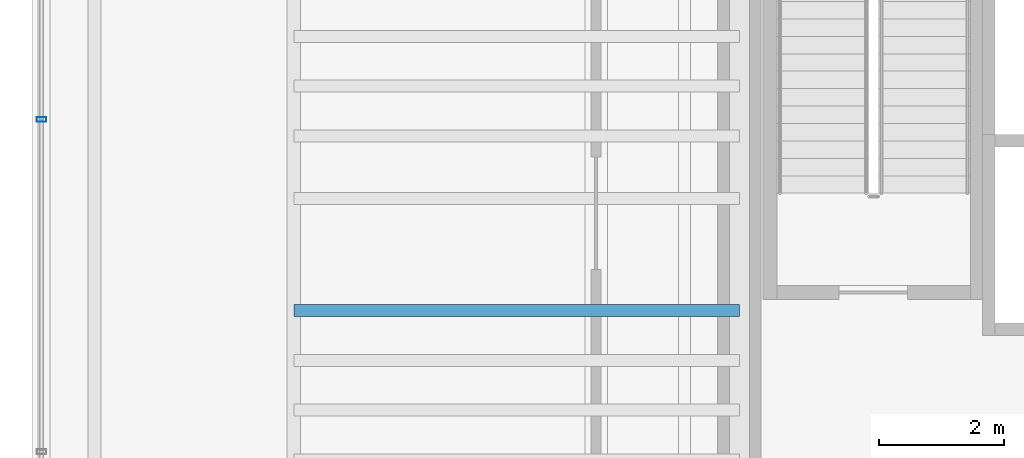
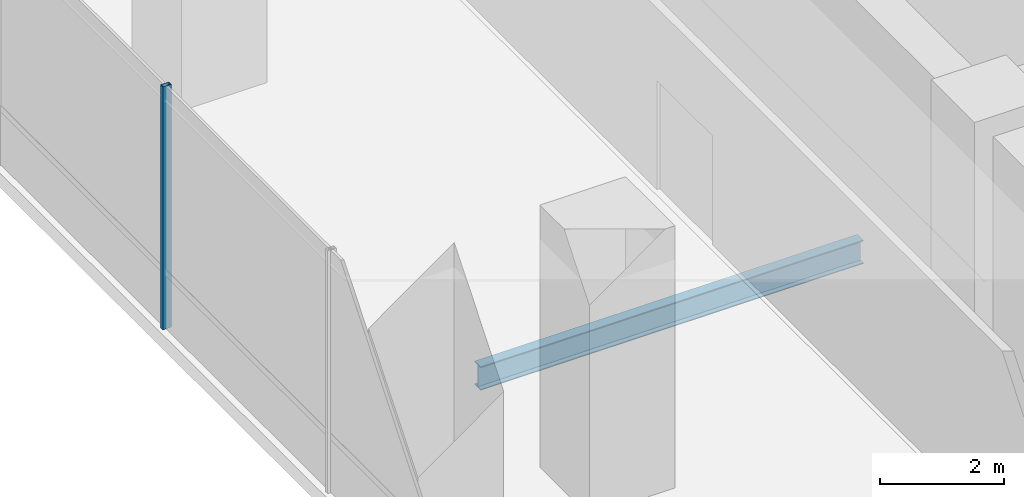
# One storey, part 4 of 39: 1 beam, 1 member, 1 element without a shape of its own.
"""IFC4 building model written with IfcOpenShell, lengths in metres."""

import ifcopenshell
import ifcopenshell.guid

model = None  # the IFC model being written
_history = None  # IfcOwnerHistory: only IFC2X3 demands one
_inside = {}  # id of a spatial element -> (the spatial element, [elements in it])
_under = {}  # id of a project, library or spatial element -> (it, [spatial elements below it])
_declared = {}  # id of a project -> (the project, [libraries it declares])
_typed = {}  # id of a type object -> (the type object, [elements of that type])
_made_of = {}  # id of a material, layer set ... -> (it, [elements and type objects made of it])


def new_model(schema):
    """Start an empty IFC model of exactly this schema.

    Asked for "IFC4X3", IfcOpenShell would pick the latest addendum, in which some entities
    have other attributes; the version numbers below select the first issue.
    IFC2X3 requires an IfcOwnerHistory on every rooted entity: one is made here for all.
    """
    global model, _history
    if schema == "IFC4X3":
        model = ifcopenshell.file(schema_version=(4, 3, 0, 0))
    else:
        model = ifcopenshell.file(schema=schema)
    _inside.clear()
    _under.clear()
    _declared.clear()
    _typed.clear()
    _made_of.clear()
    _history = None
    if model.schema == "IFC2X3":
        org = make("IfcOrganization", Name="unknown")
        user = make(
            "IfcPersonAndOrganization",
            ThePerson=make("IfcPerson", FamilyName="unknown"),
            TheOrganization=org,
        )
        app = make(
            "IfcApplication",
            ApplicationDeveloper=org,
            Version="unknown",
            ApplicationFullName="unknown",
            ApplicationIdentifier="unknown",
        )
        _history = make(
            "IfcOwnerHistory",
            OwningUser=user,
            OwningApplication=app,
            ChangeAction="ADDED",
            CreationDate=0,
        )
    return model


def make(cls, **values):
    """One entity of the class cls with the attributes given. An attribute that is None is left unset."""
    return model.create_entity(
        cls, **{name: value for name, value in values.items() if value is not None}
    )


def rooted(cls, **values):
    """An entity with a GlobalId (a new one), such as an element, a storey or a relation."""
    return make(cls, GlobalId=ifcopenshell.guid.new(), OwnerHistory=_history, **values)


def si_unit(unit_type, name, prefix=None):
    """IfcSIUnit, for example si_unit("LENGTHUNIT", "METRE", prefix="MILLI")."""
    return make("IfcSIUnit", UnitType=unit_type, Prefix=prefix, Name=name)


def assignment(units):
    """IfcUnitAssignment: the units of a project."""
    return None if units is None else make("IfcUnitAssignment", Units=units)


def point(xyz):
    """IfcCartesianPoint."""
    return None if xyz is None else make("IfcCartesianPoint", Coordinates=xyz)


def direction(xyz):
    """IfcDirection."""
    return None if xyz is None else make("IfcDirection", DirectionRatios=xyz)


def frame(location, z_axis=None, x_axis=None):
    """IfcAxis2Placement3D, a coordinate frame: its origin and axes. An axis left out is left unset."""
    return make(
        "IfcAxis2Placement3D",
        Location=point(location),
        Axis=direction(z_axis),
        RefDirection=direction(x_axis),
    )


def frame_2d(location, x_axis=None):
    """IfcAxis2Placement2D, a coordinate frame in the plane: its origin and x axis."""
    return make(
        "IfcAxis2Placement2D", Location=point(location), RefDirection=direction(x_axis)
    )


def origin():
    """The frame at (0, 0, 0) with its axes left unset."""
    return frame((0.0, 0.0, 0.0))


def origin_2d():
    """The frame at (0, 0) in the plane with its x axis left unset."""
    return frame_2d((0.0, 0.0))


def place(relative_to, where):
    """IfcLocalPlacement: puts the frame where relative to a parent placement (None: the world)."""
    return make(
        "IfcLocalPlacement", PlacementRelTo=relative_to, RelativePlacement=where
    )


def context(
    kind, dimensions, precision=None, world=None, true_north=None, identifier=None
):
    """IfcGeometricRepresentationContext, for example the 3D "Model" context."""
    return make(
        "IfcGeometricRepresentationContext",
        ContextIdentifier=identifier,
        ContextType=kind,
        CoordinateSpaceDimension=dimensions,
        Precision=precision,
        WorldCoordinateSystem=world,
        TrueNorth=true_north,
    )


def subcontext(parent, identifier, kind, view, scale=None):
    """IfcGeometricRepresentationSubContext, for example "Body" below "Model"."""
    return make(
        "IfcGeometricRepresentationSubContext",
        ContextIdentifier=identifier,
        ContextType=kind,
        ParentContext=parent,
        TargetScale=scale,
        TargetView=view,
    )


def project(units=None, contexts=None):
    """IfcProject with its units and contexts."""
    return rooted(
        "IfcProject",
        Name="project",
        RepresentationContexts=contexts,
        UnitsInContext=assignment(units),
    )


def spatial(cls, under=None, at=None, **own):
    """A site, building, storey or space (cls), placed at a placement, below another one or the project."""
    s = rooted(cls, ObjectPlacement=at, **own)
    if under is not None:
        _under.setdefault(under.id(), (under, []))[1].append(s)
    return s


def profile(cls, at=None, kind="AREA", **sizes):
    """A parametric profile (cls). Its sizes go by their IFC names, for example OverallWidth=200.0."""
    return make(cls, ProfileType=kind, Position=at, **sizes)


def hollow_rectangle(**sizes):
    """IfcRectangleHollowProfileDef."""
    return profile("IfcRectangleHollowProfileDef", **sizes)


def i_section(**sizes):
    """IfcIShapeProfileDef."""
    return profile("IfcIShapeProfileDef", **sizes)


def extrude(swept, where, along, depth):
    """IfcExtrudedAreaSolid: the profile swept, set in the frame where, extruded along a direction by depth."""
    return make(
        "IfcExtrudedAreaSolid",
        SweptArea=swept,
        Position=where,
        ExtrudedDirection=direction(along),
        Depth=depth,
    )


def shape(context_of_items, identifier, shape_type, items):
    """IfcShapeRepresentation: the items that make up one representation, for example the "Body"."""
    return make(
        "IfcShapeRepresentation",
        ContextOfItems=context_of_items,
        RepresentationIdentifier=identifier,
        RepresentationType=shape_type,
        Items=items,
    )


def source(mapping_origin, context_of_items, identifier, shape_type, items):
    """IfcRepresentationMap: a shape defined once, which mapped items show again and again."""
    return make(
        "IfcRepresentationMap",
        MappingOrigin=mapping_origin,
        MappedRepresentation=shape(context_of_items, identifier, shape_type, items),
    )


def transform(
    local_origin,
    x_axis=None,
    y_axis=None,
    z_axis=None,
    scale=None,
    scale2=None,
    scale3=None,
    uniform=True,
):
    """IfcCartesianTransformationOperator3D, or its non-uniform kind. x_axis, y_axis, z_axis: its Axis1, 2, 3."""
    if uniform:
        return make(
            "IfcCartesianTransformationOperator3D",
            Axis1=direction(x_axis),
            Axis2=direction(y_axis),
            LocalOrigin=point(local_origin),
            Scale=scale,
            Axis3=direction(z_axis),
        )
    return make(
        "IfcCartesianTransformationOperator3DnonUniform",
        Axis1=direction(x_axis),
        Axis2=direction(y_axis),
        LocalOrigin=point(local_origin),
        Scale=scale,
        Axis3=direction(z_axis),
        Scale2=scale2,
        Scale3=scale3,
    )


def mapped(mapping_source, mapping_target):
    """IfcMappedItem: shows the shape of a source again, moved by a transform."""
    return make(
        "IfcMappedItem", MappingSource=mapping_source, MappingTarget=mapping_target
    )


def material(Name=None, Category=None):
    """IfcMaterial."""
    return make("IfcMaterial", Name=Name, Category=Category)


def material_profile(
    of_material, cross_section, Name=None, Category=None, Priority=None
):
    """IfcMaterialProfile: a cross section and its material."""
    return make(
        "IfcMaterialProfile",
        Name=Name,
        Material=of_material,
        Profile=cross_section,
        Priority=Priority,
        Category=Category,
    )


def profile_set(profiles, Name=None, composite=None):
    """IfcMaterialProfileSet."""
    return make(
        "IfcMaterialProfileSet",
        Name=Name,
        MaterialProfiles=profiles,
        CompositeProfile=composite,
    )


def made_of(thing, what):
    """Note that an element or type object is made of a material, layer set ...; save() writes the relation."""
    if what is not None:
        _made_of.setdefault(what.id(), (what, []))[1].append(thing)
    return thing


def type_object(cls, material=None, **own):
    """A type object (cls), such as IfcWallType, which elements share."""
    return made_of(rooted(cls, **own), material)


def element(
    cls,
    number,
    at=None,
    inside=None,
    cuts=None,
    type_object=None,
    material=None,
    context=None,
    identifier="Body",
    shape_type=None,
    held_by="IfcProductDefinitionShape",
    body=None,
    shapes=None,
    **own,
):
    """One element of the class cls, such as IfcWall. Its Tag is "e" and its number.

    at: its placement. inside: the storey or other place that contains it. cuts: it is an
    opening in that element (IfcRelVoidsElement). A single representation is given by context,
    identifier, shape_type and body (its items); several are given by shapes. held_by: the class
    of the entity that holds the representations. save() writes the other relations.
    """
    e = rooted(cls, Tag="e%d" % number, ObjectPlacement=at, **own)
    if body is not None:
        shapes = [shape(context, identifier, shape_type, body)]
    if shapes is not None:
        e.Representation = make(held_by, Representations=shapes)
    if inside is not None:
        _inside.setdefault(inside.id(), (inside, []))[1].append(e)
    if cuts is not None:
        rooted(
            "IfcRelVoidsElement", RelatingBuildingElement=cuts, RelatedOpeningElement=e
        )
    if type_object is not None:
        _typed.setdefault(type_object.id(), (type_object, []))[1].append(e)
    return made_of(e, material)


def aggregate(whole, parts):
    """IfcRelAggregates: a whole, such as a stair, and the parts it consists of."""
    return rooted("IfcRelAggregates", RelatingObject=whole, RelatedObjects=parts)


def save(model, path):
    """Write the relations noted so far, then the file.

    IfcRelAggregates (storeys below a building ...), IfcRelContainedInSpatialStructure (elements
    in a storey), IfcRelDefinesByType, IfcRelAssociatesMaterial and IfcRelDeclares: one each for
    every whole, place, type object, material and project.
    """
    for whole, parts in _under.values():
        aggregate(whole, parts)
    for where, things in _inside.values():
        rooted(
            "IfcRelContainedInSpatialStructure",
            RelatedElements=things,
            RelatingStructure=where,
        )
    for kind, things in _typed.values():
        rooted("IfcRelDefinesByType", RelatedObjects=things, RelatingType=kind)
    for what, things in _made_of.values():
        rooted("IfcRelAssociatesMaterial", RelatedObjects=things, RelatingMaterial=what)
    for by, libraries in _declared.values():
        rooted("IfcRelDeclares", RelatingContext=by, RelatedDefinitions=libraries)
    model.write(path)


model = new_model("IFC4")

# Units and contexts
model_context = context("Model", 3, precision=1e-05, world=origin(), true_north=direction((0.0, 1.0)))
body_context = subcontext(model_context, "Body", "Model", "MODEL_VIEW")
ifc_project = project(units=[si_unit("LENGTHUNIT", "METRE"), si_unit("AREAUNIT", "SQUARE_METRE"), si_unit("VOLUMEUNIT", "CUBIC_METRE"), si_unit("PLANEANGLEUNIT", "RADIAN"), si_unit("MASSUNIT", "GRAM", prefix="KILO")], contexts=[model_context])

# Site, building, storey
site_placement = place(None, origin())
site = spatial("IfcSite", under=ifc_project, at=site_placement, CompositionType="ELEMENT")
building_placement = place(site_placement, origin())
building = spatial("IfcBuilding", under=site, at=building_placement, Name="Valdorenza Pilgrim Sanctuary Tower", CompositionType="ELEMENT")
storey_placement = place(building_placement, frame((0.0, 0.0, 15.60009765625)))
storey = spatial("IfcBuildingStorey", under=building, at=storey_placement, Name="L03", CompositionType="ELEMENT", Elevation=15.60009765625)

# Beam
ifc_material_1 = material(Name="Steel ASTM A992 Grade 50", Category="steel")
ifc_material_profile_1 = material_profile(ifc_material_1, i_section(OverallWidth=0.193115234375, OverallDepth=0.466064453125, WebThickness=0.011474609375, FlangeThickness=0.01904296875, at=origin_2d()), Name="W18X65")
ifc_profile_set_1 = profile_set([ifc_material_profile_1], Name="Steel ASTM A992 Grade 50")
beam_type = type_object("IfcBeamType", Name="STR-BM-JST-W18A", PredefinedType="JOIST", material=ifc_profile_set_1)
shared_shape_1 = source(origin(), body_context, "Body", "SweptSolid", [
    extrude(i_section(OverallWidth=0.193115234375, OverallDepth=0.466064453125, WebThickness=0.011474609375, FlangeThickness=0.01904296875, at=origin_2d()), origin(), (0.0, 0.0, 1.0), 7.150146484375),
])
beam_placement = place(storey_placement, frame((-29.800048828125, 1.60009765625, -0.51318359375), z_axis=(1.0, 0.0, 0.0), x_axis=(0.0, 1.0, 0.0)))
element("IfcBeam", 1, at=beam_placement, inside=storey, type_object=beam_type, Name="L03 Composite Floor Joist JST-WA-14", PredefinedType="JOIST", context=body_context, shape_type="MappedRepresentation", body=[
    mapped(shared_shape_1, transform((0.0, 0.0, 0.0), x_axis=(1.0, 0.0, 0.0), y_axis=(0.0, 1.0, 0.0), z_axis=(0.0, 0.0, 1.0), scale=1.0)),
])

# Curtain wall, member
ifc_material_2 = material(Name="Curtain-wall IGU glazing", Category="glass")
curtain_wall_type = type_object("IfcCurtainWallType", Name="CW-SYS-01", PredefinedType="NOTDEFINED", material=ifc_material_2)
curtain_wall_placement = place(storey_placement, origin())
curtain_wall = element("IfcCurtainWall", 2, at=curtain_wall_placement, inside=storey, type_object=curtain_wall_type, Name="L03 Curtain Wall CW-POD-L03-WW", PredefinedType="NOTDEFINED")
ifc_material_3 = material(Name="Anodised aluminium AW-6060", Category="aluminium")
ifc_material_profile_2 = material_profile(ifc_material_3, hollow_rectangle(XDim=0.074951171875, YDim=0.159912109375, WallThickness=0.00390625, at=origin_2d()), Name="ALU-M 160x75x4")
ifc_profile_set_2 = profile_set([ifc_material_profile_2], Name="Anodised aluminium AW-6060")
member_type = type_object("IfcMemberType", Name="CW-MUL-01", PredefinedType="MULLION", material=ifc_profile_set_2)
shared_shape_2 = source(origin(), body_context, "Body", "SweptSolid", [
    extrude(hollow_rectangle(XDim=0.074951171875, YDim=0.159912109375, WallThickness=0.00390625, at=origin_2d()), origin(), (0.0, 0.0, 1.0), 4.7998046875),
])
member_placement = place(storey_placement, frame((-33.85009765625, 4.666748046875, 0.0), z_axis=(0.0, 0.0, 1.0), x_axis=(0.0, 1.0, 0.0)))
member = element("IfcMember", 3, at=member_placement, type_object=member_type, Name="CW-POD-L03-WW Mullion 3", PredefinedType="MULLION", context=body_context, shape_type="MappedRepresentation", body=[
    mapped(shared_shape_2, transform((0.0, 0.0, 0.0), x_axis=(1.0, 0.0, 0.0), y_axis=(0.0, 1.0, 0.0), z_axis=(0.0, 0.0, 1.0), scale=1.0)),
])
aggregate(curtain_wall, [member])

save(model, "model.ifc")
